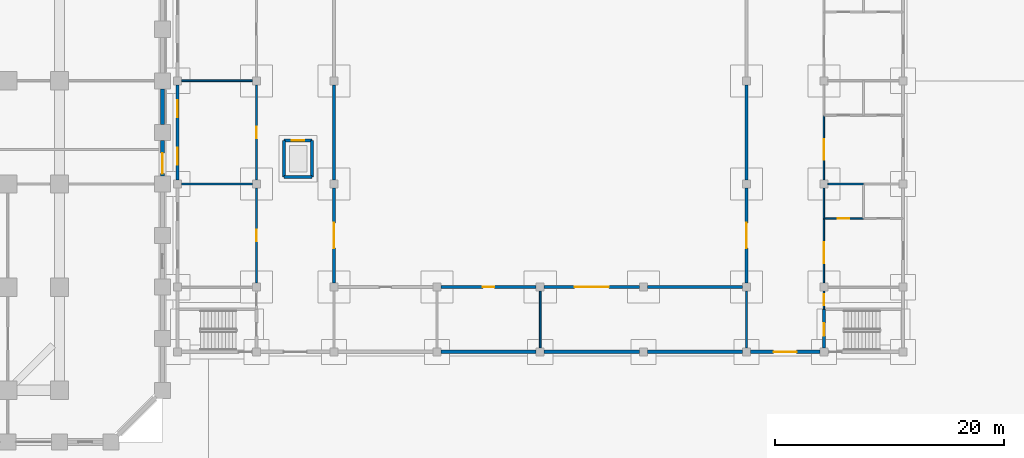
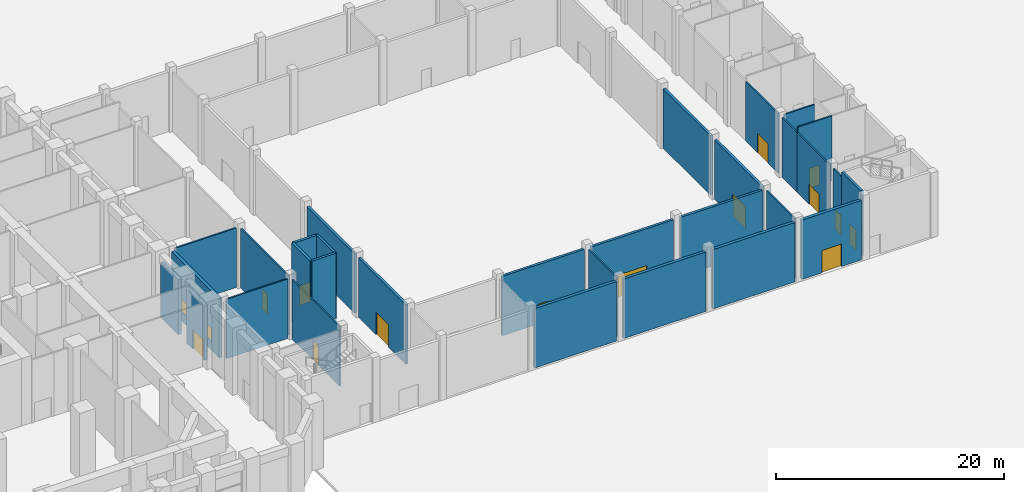
# One storey, part 11 of 30: 31 walls, 14 doors, 2 windows, 16 openings.
"""IFC4 building model written with IfcOpenShell, lengths in metres."""

from ifc_helpers import new_model, si_unit, direction, frame, frame_2d, origin, place, context, subcontext, project, spatial, rectangle, extrude, material, layer, layer_set, type_object, element, fill, save


model = new_model("IFC4")

# Units and contexts
model_context = context("Model", 3, precision=1e-05, world=origin(), true_north=direction((0.0, 1.0)))
body_context = subcontext(model_context, "Body", "Model", "MODEL_VIEW")
ifc_project = project(units=[si_unit("LENGTHUNIT", "METRE"), si_unit("AREAUNIT", "SQUARE_METRE"), si_unit("VOLUMEUNIT", "CUBIC_METRE"), si_unit("PLANEANGLEUNIT", "RADIAN"), si_unit("MASSUNIT", "GRAM", prefix="KILO")], contexts=[model_context])

# Site, building, storey
site_placement = place(None, origin())
site = spatial("IfcSite", under=ifc_project, at=site_placement, CompositionType="ELEMENT")
building_placement = place(site_placement, origin())
building = spatial("IfcBuilding", under=site, at=building_placement, Name="Corbel Stack Research Tower", CompositionType="ELEMENT")
storey_placement = place(building_placement, origin())
storey = spatial("IfcBuildingStorey", under=building, at=storey_placement, Name="L00", CompositionType="ELEMENT", Elevation=0.0)

# Wall, opening, door
ifc_material_1 = material(Name="Concrete C45/55", Category="concrete")
ifc_layer_1 = layer(ifc_material_1, 0.35009765625)
ifc_layer_set_1 = layer_set([ifc_layer_1], Name="Concrete C45/55")
wall_type_1 = type_object("IfcWallType", Name="Board-marked concrete wall 350", PredefinedType="SOLIDWALL", material=ifc_layer_set_1)
wall_1_placement = place(storey_placement, frame((36.0, -5.199951171875, 0.0), z_axis=(0.0, 0.0, 1.0), x_axis=(0.0, -1.0, 0.0)))
wall_1 = element("IfcWall", 1, at=wall_1_placement, inside=storey, type_object=wall_type_1, Name="Facade wall L00 E05", PredefinedType="SOLIDWALL", context=body_context, shape_type="SweptSolid", body=[
    extrude(rectangle(XDim=3.10009765625, YDim=0.35009765625, at=frame_2d((1.550048828125, 0.0))), origin(), (0.0, 0.0, 1.0), 5.85009765625),
])
opening_1_placement = place(wall_1_placement, frame((1.10009765625, 0.0, 0.0)))
opening_1 = element("IfcOpeningElement", 2, at=opening_1_placement, cuts=wall_1, Name="Opening XD-3", PredefinedType="OPENING", context=body_context, shape_type="SweptSolid", body=[
    extrude(rectangle(XDim=1.800048828125, YDim=2.10009765625, at=frame_2d((0.89990234375, 1.050048828125))), frame((0.0, 0.18505859375, 0.0), z_axis=(0.0, -1.0, 0.0), x_axis=(1.0, 0.0, 0.0)), (0.0, 0.0, 1.0), 0.3701171875),
])
ifc_material_2 = material(Name="Painted steel door", Category="steel")
door_type_1 = type_object("IfcDoorType", Name="Exit door pair 1800 x 2100", OperationType="DOUBLE_DOOR_DOUBLE_SWING", PredefinedType="DOOR", material=ifc_material_2)
door_1_placement = place(opening_1_placement, origin())
door_1 = element("IfcDoor", 3, at=door_1_placement, inside=storey, type_object=door_type_1, Name="Exit passage ST-E1 exit door pair", OperationType="DOUBLE_DOOR_DOUBLE_SWING", OverallHeight=2.10009765625, OverallWidth=1.800048828125, PredefinedType="DOOR", context=body_context, shape_type="SweptSolid", body=[
    extrude(rectangle(XDim=1.800048828125, YDim=2.10009765625, at=frame_2d((0.89990234375, 1.050048828125))), frame((0.0, 0.02490234375, 0.0), z_axis=(0.0, -1.0, 0.0), x_axis=(1.0, 0.0, 0.0)), (0.0, 0.0, 1.0), 0.050048828125),
])
fill(opening_1, door_1)

# Walls
wall_2_placement = place(storey_placement, frame((36.0, -0.699951171875, 0.0), z_axis=(0.0, 0.0, 1.0), x_axis=(0.0, -1.0, 0.0)))
element("IfcWall", 4, at=wall_2_placement, inside=storey, type_object=wall_type_1, Name="Facade wall L00 E06", PredefinedType="SOLIDWALL", context=body_context, shape_type="SweptSolid", body=[
    extrude(rectangle(XDim=3.10009765625, YDim=0.35009765625, at=frame_2d((1.550048828125, 0.0))), origin(), (0.0, 0.0, 1.0), 5.85009765625),
])
ifc_material_3 = material(Name="Concrete C40/50", Category="concrete")
ifc_layer_2 = layer(ifc_material_3, 0.300048828125)
ifc_layer_set_2 = layer_set([ifc_layer_2], Name="Concrete C40/50")
wall_type_2 = type_object("IfcWallType", Name="HW1 exterior wall 300", PredefinedType="SOLIDWALL", material=ifc_layer_set_2)
for number, where, z_axis, x_axis, name in (
    (5, (60.300048828125, -23.64990234375, 0.0), (0.0, 0.0, 1.0), (1.0, 0.0, 0.0), "Exterior wall L00 h-23.65/60.3"),
    (6, (69.300048828125, -23.64990234375, 0.0), (0.0, 0.0, 1.0), (1.0, 0.0, 0.0), "Exterior wall L00 h-23.65/69.3"),
    (7, (78.300048828125, -23.64990234375, 0.0), (0.0, 0.0, 1.0), (1.0, 0.0, 0.0), "Exterior wall L00 h-23.65/78.3"),
):
    element("IfcWall", number, at=place(storey_placement, frame(where, z_axis=z_axis, x_axis=x_axis)), inside=storey, type_object=wall_type_2, Name=name, PredefinedType="SOLIDWALL", context=body_context, shape_type="SweptSolid", body=[
        extrude(rectangle(XDim=8.300048828125, YDim=0.300048828125, at=frame_2d((4.14990234375, 0.0))), origin(), (0.0, 0.0, 1.0), 6.35009765625),
    ])

# Wall, opening, door
wall_3_placement = place(storey_placement, frame((93.35009765625, -23.64990234375, 0.0), z_axis=(0.0, 0.0, 1.0), x_axis=(-1.0, 0.0, 0.0)))
wall_3 = element("IfcWall", 8, at=wall_3_placement, inside=storey, type_object=wall_type_2, Name="Exterior wall L00 h-23.65/87.3", PredefinedType="SOLIDWALL", context=body_context, shape_type="SweptSolid", body=[
    extrude(rectangle(XDim=6.050048828125, YDim=0.300048828125, at=frame_2d((3.02490234375, 0.0))), origin(), (0.0, 0.0, 1.0), 6.35009765625),
])
opening_2_placement = place(wall_3_placement, frame((2.02490234375, 0.0, 0.0)))
opening_2 = element("IfcOpeningElement", 9, at=opening_2_placement, cuts=wall_3, Name="Opening H0-03", PredefinedType="OPENING", context=body_context, shape_type="SweptSolid", body=[
    extrude(rectangle(XDim=2.0, YDim=2.39990234375, at=frame_2d((1.0, 1.199951171875))), frame((0.0, 0.159912109375, 0.0), z_axis=(0.0, -1.0, 0.0), x_axis=(1.0, 0.0, 0.0)), (0.0, 0.0, 1.0), 0.320068359375),
])
ifc_material_4 = material(Name="Glass and aluminium", Category="aluminium")
door_type_2 = type_object("IfcDoorType", Name="HD3 entrance door pair 2000 x 2400", OperationType="DOUBLE_DOOR_SINGLE_SWING", PredefinedType="DOOR", material=ifc_material_4)
door_2_placement = place(opening_2_placement, origin())
door_2 = element("IfcDoor", 10, at=door_2_placement, inside=storey, type_object=door_type_2, Name="Door H0-03", OperationType="DOUBLE_DOOR_SINGLE_SWING", OverallHeight=2.39990234375, OverallWidth=2.0, PredefinedType="DOOR", context=body_context, shape_type="SweptSolid", body=[
    extrude(rectangle(XDim=2.0, YDim=2.39990234375, at=frame_2d((1.0, 1.199951171875))), frame((0.0, 0.02490234375, 0.0), z_axis=(0.0, -1.0, 0.0), x_axis=(1.0, 0.0, 0.0)), (0.0, 0.0, 1.0), 0.050048828125),
])
fill(opening_2, door_2)

# Wall, openings, windows
wall_4_placement = place(storey_placement, frame((37.300048828125, -8.64990234375, 0.0), z_axis=(0.0, 0.0, 1.0), x_axis=(0.0, 1.0, 0.0)))
wall_4 = element("IfcWall", 11, at=wall_4_placement, inside=storey, type_object=wall_type_2, Name="Exterior wall L00 v37.30/-8.7", PredefinedType="SOLIDWALL", context=body_context, shape_type="SweptSolid", body=[
    extrude(rectangle(XDim=8.2998046875, YDim=0.300048828125, at=frame_2d((4.14990234375, 0.0))), origin(), (0.0, 0.0, 1.0), 6.35009765625),
])
opening_3_placement = place(wall_4_placement, frame((1.324951171875, 0.0, 0.89990234375)))
opening_3 = element("IfcOpeningElement", 12, at=opening_3_placement, cuts=wall_4, Name="Opening HX1", PredefinedType="OPENING", context=body_context, shape_type="SweptSolid", body=[
    extrude(rectangle(XDim=1.5, YDim=1.39990234375, at=frame_2d((0.75, 0.699951171875))), frame((0.0, 0.159912109375, 0.0), z_axis=(0.0, -1.0, 0.0), x_axis=(1.0, 0.0, 0.0)), (0.0, 0.0, 1.0), 0.320068359375),
])
opening_4_placement = place(wall_4_placement, frame((5.47509765625, 0.0, 0.89990234375)))
opening_4 = element("IfcOpeningElement", 13, at=opening_4_placement, cuts=wall_4, Name="Opening HX1", PredefinedType="OPENING", context=body_context, shape_type="SweptSolid", body=[
    extrude(rectangle(XDim=1.5, YDim=1.39990234375, at=frame_2d((0.75, 0.699951171875))), frame((0.0, 0.159912109375, 0.0), z_axis=(0.0, -1.0, 0.0), x_axis=(1.0, 0.0, 0.0)), (0.0, 0.0, 1.0), 0.320068359375),
])
ifc_material_5 = material(Name="Glass and aluminium", Category="aluminium")
window_type = type_object("IfcWindowType", Name="HW6 window 1500 x 1400", PartitioningType="SINGLE_PANEL", PredefinedType="WINDOW", material=ifc_material_5)
window_1_placement = place(opening_3_placement, origin())
window_1 = element("IfcWindow", 14, at=window_1_placement, inside=storey, type_object=window_type, Name="Window L00 Reception", OverallHeight=1.39990234375, OverallWidth=1.5, PartitioningType="SINGLE_PANEL", PredefinedType="WINDOW", context=body_context, shape_type="SweptSolid", body=[
    extrude(rectangle(XDim=1.5, YDim=1.39990234375, at=frame_2d((0.75, 0.699951171875))), frame((0.0, 0.030029296875, 0.0), z_axis=(0.0, -1.0, 0.0), x_axis=(1.0, 0.0, 0.0)), (0.0, 0.0, 1.0), 0.06005859375),
])
fill(opening_3, window_1)
window_2_placement = place(opening_4_placement, origin())
window_2 = element("IfcWindow", 15, at=window_2_placement, inside=storey, type_object=window_type, Name="Window L00 Reception", OverallHeight=1.39990234375, OverallWidth=1.5, PartitioningType="SINGLE_PANEL", PredefinedType="WINDOW", context=body_context, shape_type="SweptSolid", body=[
    extrude(rectangle(XDim=1.5, YDim=1.39990234375, at=frame_2d((0.75, 0.699951171875))), frame((0.0, 0.030029296875, 0.0), z_axis=(0.0, -1.0, 0.0), x_axis=(1.0, 0.0, 0.0)), (0.0, 0.0, 1.0), 0.06005859375),
])
fill(opening_4, window_2)

# Wall
ifc_material_6 = material(Name="Concrete C40/50", Category="concrete")
ifc_layer_3 = layer(ifc_material_6, 0.25)
ifc_layer_set_3 = layer_set([ifc_layer_3], Name="Concrete C40/50")
wall_type_3 = type_object("IfcWallType", Name="HW2 core wall C40/50 250", PredefinedType="SHEAR", material=ifc_layer_set_3)
wall_5_placement = place(storey_placement, frame((46.60009765625, -8.39990234375, -1.5), z_axis=(0.0, 0.0, 1.0), x_axis=(1.0, 0.0, 0.0)))
element("IfcWall", 16, at=wall_5_placement, inside=storey, type_object=wall_type_3, Name="Wall L00 h-8.40/46.6", PredefinedType="SHEAR", context=body_context, shape_type="SweptSolid", body=[
    extrude(rectangle(XDim=2.449951171875, YDim=0.25, at=frame_2d((1.22509765625, 0.0))), origin(), (0.0, 0.0, 1.0), 8.449951171875),
])

# Wall, opening, door
wall_6_placement = place(storey_placement, frame((46.60009765625, -5.199951171875, -1.5), z_axis=(0.0, 0.0, 1.0), x_axis=(1.0, 0.0, 0.0)))
wall_6 = element("IfcWall", 17, at=wall_6_placement, inside=storey, type_object=wall_type_3, Name="Wall L00 h-5.20/46.6", PredefinedType="SHEAR", context=body_context, shape_type="SweptSolid", body=[
    extrude(rectangle(XDim=2.449951171875, YDim=0.25, at=frame_2d((1.22509765625, 0.0))), origin(), (0.0, 0.0, 1.0), 8.449951171875),
])
opening_5_placement = place(wall_6_placement, frame((0.675048828125, 0.0, 1.5)))
opening_5 = element("IfcOpeningElement", 18, at=opening_5_placement, cuts=wall_6, Name="Opening H0-10", PredefinedType="OPENING", context=body_context, shape_type="SweptSolid", body=[
    extrude(rectangle(XDim=1.10009765625, YDim=2.10009765625, at=frame_2d((0.550048828125, 1.050048828125))), frame((0.0, 0.135009765625, 0.0), z_axis=(0.0, -1.0, 0.0), x_axis=(1.0, 0.0, 0.0)), (0.0, 0.0, 1.0), 0.27001953125),
])
ifc_material_7 = material(Name="Timber", Category="wood")
door_type_3 = type_object("IfcDoorType", Name="HD5 lift landing door 1100 x 2100", OperationType="DOUBLE_DOOR_SLIDING", PredefinedType="DOOR", material=ifc_material_7)
door_3_placement = place(opening_5_placement, origin())
door_3 = element("IfcDoor", 19, at=door_3_placement, inside=storey, type_object=door_type_3, Name="Lift landing door H0-10", OperationType="DOUBLE_DOOR_SLIDING", OverallHeight=2.10009765625, OverallWidth=1.10009765625, PredefinedType="DOOR", context=body_context, shape_type="SweptSolid", body=[
    extrude(rectangle(XDim=1.10009765625, YDim=2.10009765625, at=frame_2d((0.550048828125, 1.050048828125))), frame((0.0, 0.02490234375, 0.0), z_axis=(0.0, -1.0, 0.0), x_axis=(1.0, 0.0, 0.0)), (0.0, 0.0, 1.0), 0.050048828125),
])
fill(opening_5, door_3)

# Walls
for number, where, z_axis, x_axis, name in (
    (20, (46.60009765625, -8.39990234375, -1.5), (0.0, 0.0, 1.0), (0.0, 1.0, 0.0), "Wall L00 v46.60/-8.4"),
    (21, (49.050048828125, -8.39990234375, -1.5), (0.0, 0.0, 1.0), (0.0, 1.0, 0.0), "Wall L00 v49.05/-8.4"),
):
    element("IfcWall", number, at=place(storey_placement, frame(where, z_axis=z_axis, x_axis=x_axis)), inside=storey, type_object=wall_type_3, Name=name, PredefinedType="SHEAR", context=body_context, shape_type="SweptSolid", body=[
        extrude(rectangle(XDim=3.199951171875, YDim=0.25, at=frame_2d((1.60009765625, 0.0))), origin(), (0.0, 0.0, 1.0), 8.449951171875),
    ])

# Wall, opening, door
wall_7_placement = place(storey_placement, frame((93.699951171875, -23.300048828125, 0.0), z_axis=(0.0, 0.0, 1.0), x_axis=(0.0, 1.0, 0.0)))
wall_7 = element("IfcWall", 22, at=wall_7_placement, inside=storey, type_object=wall_type_3, Name="Wall L00 v93.70/-23.3", PredefinedType="SHEAR", context=body_context, shape_type="SweptSolid", body=[
    extrude(rectangle(XDim=3.375, YDim=0.25, at=frame_2d((1.6875, 0.0))), origin(), (0.0, 0.0, 1.0), 6.949951171875),
])
opening_6_placement = place(wall_7_placement, frame((1.050048828125, 0.0, 0.0)))
opening_6 = element("IfcOpeningElement", 23, at=opening_6_placement, cuts=wall_7, Name="Opening H0-35", PredefinedType="OPENING", context=body_context, shape_type="SweptSolid", body=[
    extrude(rectangle(XDim=1.10009765625, YDim=2.10009765625, at=frame_2d((0.550048828125, 1.050048828125))), frame((0.0, 0.135009765625, 0.0), z_axis=(0.0, -1.0, 0.0), x_axis=(1.0, 0.0, 0.0)), (0.0, 0.0, 1.0), 0.27001953125),
])
ifc_material_8 = material(Name="Steel", Category="steel")
door_type_4 = type_object("IfcDoorType", Name="HD4 fire door 1100 x 2100", OperationType="NOTDEFINED", PredefinedType="DOOR", material=ifc_material_8)
door_4_placement = place(opening_6_placement, origin())
door_4 = element("IfcDoor", 24, at=door_4_placement, inside=storey, type_object=door_type_4, Name="Door H0-35", OperationType="SINGLE_SWING_RIGHT", OverallHeight=2.10009765625, OverallWidth=1.10009765625, PredefinedType="DOOR", context=body_context, shape_type="SweptSolid", body=[
    extrude(rectangle(XDim=1.10009765625, YDim=2.10009765625, at=frame_2d((0.550048828125, 1.050048828125))), frame((0.0, 0.02490234375, 0.0), z_axis=(0.0, -1.0, 0.0), x_axis=(1.0, 0.0, 0.0)), (0.0, 0.0, 1.0), 0.050048828125),
])
fill(opening_6, door_4)

ifc_material_9 = material(Name="Concrete masonry unit", Category="masonry")
ifc_layer_4 = layer(ifc_material_9, 0.14990234375)
ifc_layer_set_4 = layer_set([ifc_layer_4], Name="Concrete masonry unit")
wall_type_4 = type_object("IfcWallType", Name="HW3 partition 150", PredefinedType="PARTITIONING", material=ifc_layer_set_4)
wall_8_placement = place(storey_placement, frame((93.699951171875, -12.0, 0.0), z_axis=(0.0, 0.0, 1.0), x_axis=(1.0, 0.0, 0.0)))
wall_8 = element("IfcWall", 25, at=wall_8_placement, inside=storey, type_object=wall_type_4, Name="Wall L00 h-12.00/93.7", PredefinedType="PARTITIONING", context=body_context, shape_type="SweptSolid", body=[
    extrude(rectangle(XDim=3.449951171875, YDim=0.14990234375, at=frame_2d((1.72509765625, 0.0))), origin(), (0.0, 0.0, 1.0), 6.949951171875),
])
opening_7_placement = place(wall_8_placement, frame((1.199951171875, 0.0, 0.0)))
opening_7 = element("IfcOpeningElement", 26, at=opening_7_placement, cuts=wall_8, Name="Opening H0-08", PredefinedType="OPENING", context=body_context, shape_type="SweptSolid", body=[
    extrude(rectangle(XDim=1.0, YDim=2.10009765625, at=frame_2d((0.5, 1.050048828125))), frame((0.0, 0.0849609375, 0.0), z_axis=(0.0, -1.0, 0.0), x_axis=(1.0, 0.0, 0.0)), (0.0, 0.0, 1.0), 0.169921875),
])
ifc_material_10 = material(Name="Timber", Category="wood")
door_type_5 = type_object("IfcDoorType", Name="HD1 single door 1000 x 2100", OperationType="NOTDEFINED", PredefinedType="DOOR", material=ifc_material_10)
door_5_placement = place(opening_7_placement, origin())
door_5 = element("IfcDoor", 27, at=door_5_placement, inside=storey, type_object=door_type_5, Name="Door H0-08", OperationType="SINGLE_SWING_LEFT", OverallHeight=2.10009765625, OverallWidth=1.0, PredefinedType="DOOR", context=body_context, shape_type="SweptSolid", body=[
    extrude(rectangle(XDim=1.0, YDim=2.10009765625, at=frame_2d((0.5, 1.050048828125))), frame((0.0, 0.02490234375, 0.0), z_axis=(0.0, -1.0, 0.0), x_axis=(1.0, 0.0, 0.0)), (0.0, 0.0, 1.0), 0.050048828125),
])
fill(opening_7, door_5)

# Walls
wall_9_placement = place(storey_placement, frame((37.64990234375, -9.0, 0.0), z_axis=(0.0, 0.0, 1.0), x_axis=(1.0, 0.0, 0.0)))
element("IfcWall", 28, at=wall_9_placement, inside=storey, type_object=wall_type_4, Name="Wall L00 h-9.00/37.6", PredefinedType="PARTITIONING", context=body_context, shape_type="SweptSolid", body=[
    extrude(rectangle(XDim=6.2001953125, YDim=0.14990234375, at=frame_2d((3.10009765625, 0.0))), origin(), (0.0, 0.0, 1.0), 6.35009765625),
])
wall_10_placement = place(storey_placement, frame((94.050048828125, -9.0, 0.0), z_axis=(0.0, 0.0, 1.0), x_axis=(1.0, 0.0, 0.0)))
element("IfcWall", 29, at=wall_10_placement, inside=storey, type_object=wall_type_4, Name="Wall L00 h-9.00/94.0", PredefinedType="PARTITIONING", context=body_context, shape_type="SweptSolid", body=[
    extrude(rectangle(XDim=3.099853515625, YDim=0.14990234375, at=frame_2d((1.5498046875, 0.0))), origin(), (0.0, 0.0, 1.0), 6.35009765625),
])
wall_11_placement = place(storey_placement, frame((37.64990234375, 0.0, 0.0), z_axis=(0.0, 0.0, 1.0), x_axis=(1.0, 0.0, 0.0)))
element("IfcWall", 30, at=wall_11_placement, inside=storey, type_object=wall_type_4, Name="Wall L00 h0.00/37.6", PredefinedType="PARTITIONING", context=body_context, shape_type="SweptSolid", body=[
    extrude(rectangle(XDim=6.2001953125, YDim=0.14990234375, at=frame_2d((3.10009765625, 0.0))), origin(), (0.0, 0.0, 1.0), 6.35009765625),
])

# Wall, opening, door
wall_12_placement = place(storey_placement, frame((44.199951171875, -17.64990234375, 0.0), z_axis=(0.0, 0.0, 1.0), x_axis=(0.0, 1.0, 0.0)))
wall_12 = element("IfcWall", 31, at=wall_12_placement, inside=storey, type_object=wall_type_4, Name="Wall L00 v44.20/-17.6", PredefinedType="PARTITIONING", context=body_context, shape_type="SweptSolid", body=[
    extrude(rectangle(XDim=8.2998046875, YDim=0.14990234375, at=frame_2d((4.14990234375, 0.0))), origin(), (0.0, 0.0, 1.0), 6.35009765625),
])
opening_8_placement = place(wall_12_placement, frame((3.64990234375, 0.0, 0.0)))
opening_8 = element("IfcOpeningElement", 32, at=opening_8_placement, cuts=wall_12, Name="Opening H0-25", PredefinedType="OPENING", context=body_context, shape_type="SweptSolid", body=[
    extrude(rectangle(XDim=1.0, YDim=2.10009765625, at=frame_2d((0.5, 1.050048828125))), frame((0.0, 0.0849609375, 0.0), z_axis=(0.0, -1.0, 0.0), x_axis=(1.0, 0.0, 0.0)), (0.0, 0.0, 1.0), 0.169921875),
])
door_6_placement = place(opening_8_placement, origin())
door_6 = element("IfcDoor", 33, at=door_6_placement, inside=storey, type_object=door_type_5, Name="Door H0-25", OperationType="SINGLE_SWING_RIGHT", OverallHeight=2.10009765625, OverallWidth=1.0, PredefinedType="DOOR", context=body_context, shape_type="SweptSolid", body=[
    extrude(rectangle(XDim=1.0, YDim=2.10009765625, at=frame_2d((0.5, 1.050048828125))), frame((0.0, 0.02490234375, 0.0), z_axis=(0.0, -1.0, 0.0), x_axis=(1.0, 0.0, 0.0)), (0.0, 0.0, 1.0), 0.050048828125),
])
fill(opening_8, door_6)

wall_13_placement = place(storey_placement, frame((44.199951171875, -8.64990234375, 0.0), z_axis=(0.0, 0.0, 1.0), x_axis=(0.0, 1.0, 0.0)))
wall_13 = element("IfcWall", 34, at=wall_13_placement, inside=storey, type_object=wall_type_4, Name="Wall L00 v44.20/-8.7", PredefinedType="PARTITIONING", context=body_context, shape_type="SweptSolid", body=[
    extrude(rectangle(XDim=8.2998046875, YDim=0.14990234375, at=frame_2d((4.14990234375, 0.0))), origin(), (0.0, 0.0, 1.0), 6.35009765625),
])
opening_9_placement = place(wall_13_placement, frame((3.64990234375, 0.0, 0.0)))
opening_9 = element("IfcOpeningElement", 35, at=opening_9_placement, cuts=wall_13, Name="Opening H0-26", PredefinedType="OPENING", context=body_context, shape_type="SweptSolid", body=[
    extrude(rectangle(XDim=1.0, YDim=2.10009765625, at=frame_2d((0.5, 1.050048828125))), frame((0.0, 0.0849609375, 0.0), z_axis=(0.0, -1.0, 0.0), x_axis=(1.0, 0.0, 0.0)), (0.0, 0.0, 1.0), 0.169921875),
])
door_7_placement = place(opening_9_placement, origin())
door_7 = element("IfcDoor", 36, at=door_7_placement, inside=storey, type_object=door_type_5, Name="Door H0-26", OperationType="SINGLE_SWING_LEFT", OverallHeight=2.10009765625, OverallWidth=1.0, PredefinedType="DOOR", context=body_context, shape_type="SweptSolid", body=[
    extrude(rectangle(XDim=1.0, YDim=2.10009765625, at=frame_2d((0.5, 1.050048828125))), frame((0.0, 0.02490234375, 0.0), z_axis=(0.0, -1.0, 0.0), x_axis=(1.0, 0.0, 0.0)), (0.0, 0.0, 1.0), 0.050048828125),
])
fill(opening_9, door_7)

# Walls
for number, where, z_axis, x_axis, name in (
    (37, (68.949951171875, -23.300048828125, 0.0), (0.0, 0.0, 1.0), (0.0, 1.0, 0.0), "Wall L00 v68.95/-23.3"),
    (38, (86.949951171875, -23.300048828125, 0.0), (0.0, 0.0, 1.0), (0.0, 1.0, 0.0), "Wall L00 v86.95/-23.3"),
):
    element("IfcWall", number, at=place(storey_placement, frame(where, z_axis=z_axis, x_axis=x_axis)), inside=storey, type_object=wall_type_4, Name=name, PredefinedType="PARTITIONING", context=body_context, shape_type="SweptSolid", body=[
        extrude(rectangle(XDim=4.949951171875, YDim=0.14990234375, at=frame_2d((2.47509765625, 0.0))), origin(), (0.0, 0.0, 1.0), 6.35009765625),
    ])

# Wall, opening, door
wall_14_placement = place(storey_placement, frame((93.699951171875, -18.35009765625, 0.0), z_axis=(0.0, 0.0, 1.0), x_axis=(0.0, -1.0, 0.0)))
wall_14 = element("IfcWall", 39, at=wall_14_placement, inside=storey, type_object=wall_type_4, Name="Wall L00 v93.70/-19.9", PredefinedType="PARTITIONING", context=body_context, shape_type="SweptSolid", body=[
    extrude(rectangle(XDim=1.574951171875, YDim=0.14990234375, at=frame_2d((0.78759765625, 0.0))), origin(), (0.0, 0.0, 1.0), 6.35009765625),
])
opening_10_placement = place(wall_14_placement, frame((0.25, 0.0, 0.0)))
opening_10 = element("IfcOpeningElement", 40, at=opening_10_placement, cuts=wall_14, Name="Opening H0-36", PredefinedType="OPENING", context=body_context, shape_type="SweptSolid", body=[
    extrude(rectangle(XDim=1.0, YDim=2.10009765625, at=frame_2d((0.5, 1.050048828125))), frame((0.0, 0.0849609375, 0.0), z_axis=(0.0, -1.0, 0.0), x_axis=(1.0, 0.0, 0.0)), (0.0, 0.0, 1.0), 0.169921875),
])
door_8_placement = place(opening_10_placement, origin())
door_8 = element("IfcDoor", 41, at=door_8_placement, inside=storey, type_object=door_type_5, Name="Door H0-36", OperationType="SINGLE_SWING_LEFT", OverallHeight=2.10009765625, OverallWidth=1.0, PredefinedType="DOOR", context=body_context, shape_type="SweptSolid", body=[
    extrude(rectangle(XDim=1.0, YDim=2.10009765625, at=frame_2d((0.5, 1.050048828125))), frame((0.0, 0.02490234375, 0.0), z_axis=(0.0, -1.0, 0.0), x_axis=(1.0, 0.0, 0.0)), (0.0, 0.0, 1.0), 0.050048828125),
])
fill(opening_10, door_8)

wall_15_placement = place(storey_placement, frame((93.699951171875, -17.64990234375, 0.0), z_axis=(0.0, 0.0, 1.0), x_axis=(0.0, 1.0, 0.0)))
wall_15 = element("IfcWall", 42, at=wall_15_placement, inside=storey, type_object=wall_type_4, Name="Wall L00 v93.70/-17.6", PredefinedType="PARTITIONING", context=body_context, shape_type="SweptSolid", body=[
    extrude(rectangle(XDim=5.64990234375, YDim=0.14990234375, at=frame_2d((2.824951171875, 0.0))), origin(), (0.0, 0.0, 1.0), 6.35009765625),
])
opening_11_placement = place(wall_15_placement, frame((1.75, 0.0, 0.0)))
opening_11 = element("IfcOpeningElement", 43, at=opening_11_placement, cuts=wall_15, Name="Opening H0-37", PredefinedType="OPENING", context=body_context, shape_type="SweptSolid", body=[
    extrude(rectangle(XDim=1.800048828125, YDim=2.10009765625, at=frame_2d((0.89990234375, 1.050048828125))), frame((0.0, 0.0849609375, 0.0), z_axis=(0.0, -1.0, 0.0), x_axis=(1.0, 0.0, 0.0)), (0.0, 0.0, 1.0), 0.169921875),
])
ifc_material_11 = material(Name="Timber", Category="wood")
door_type_6 = type_object("IfcDoorType", Name="HD2 double door 1800 x 2100", OperationType="DOUBLE_DOOR_SINGLE_SWING", PredefinedType="DOOR", material=ifc_material_11)
door_9_placement = place(opening_11_placement, origin())
door_9 = element("IfcDoor", 44, at=door_9_placement, inside=storey, type_object=door_type_6, Name="Door H0-37", OperationType="DOUBLE_DOOR_SINGLE_SWING", OverallHeight=2.10009765625, OverallWidth=1.800048828125, PredefinedType="DOOR", context=body_context, shape_type="SweptSolid", body=[
    extrude(rectangle(XDim=1.800048828125, YDim=2.10009765625, at=frame_2d((0.89990234375, 1.050048828125))), frame((0.0, 0.02490234375, 0.0), z_axis=(0.0, -1.0, 0.0), x_axis=(1.0, 0.0, 0.0)), (0.0, 0.0, 1.0), 0.050048828125),
])
fill(opening_11, door_9)

# Wall
wall_16_placement = place(storey_placement, frame((93.699951171875, -12.0, 0.0), z_axis=(0.0, 0.0, 1.0), x_axis=(0.0, 1.0, 0.0)))
element("IfcWall", 45, at=wall_16_placement, inside=storey, type_object=wall_type_4, Name="Wall L00 v93.70/-12.0", PredefinedType="PARTITIONING", context=body_context, shape_type="SweptSolid", body=[
    extrude(rectangle(XDim=2.64990234375, YDim=0.14990234375, at=frame_2d((1.324951171875, 0.0))), origin(), (0.0, 0.0, 1.0), 6.35009765625),
])

# Wall, opening, door
wall_17_placement = place(storey_placement, frame((93.699951171875, -8.64990234375, 0.0), z_axis=(0.0, 0.0, 1.0), x_axis=(0.0, 1.0, 0.0)))
wall_17 = element("IfcWall", 46, at=wall_17_placement, inside=storey, type_object=wall_type_4, Name="Wall L00 v93.70/-8.7", PredefinedType="PARTITIONING", context=body_context, shape_type="SweptSolid", body=[
    extrude(rectangle(XDim=5.64990234375, YDim=0.14990234375, at=frame_2d((2.824951171875, 0.0))), origin(), (0.0, 0.0, 1.0), 6.35009765625),
])
opening_12_placement = place(wall_17_placement, frame((1.75, 0.0, 0.0)))
opening_12 = element("IfcOpeningElement", 47, at=opening_12_placement, cuts=wall_17, Name="Opening H0-38", PredefinedType="OPENING", context=body_context, shape_type="SweptSolid", body=[
    extrude(rectangle(XDim=1.800048828125, YDim=2.10009765625, at=frame_2d((0.89990234375, 1.050048828125))), frame((0.0, 0.0849609375, 0.0), z_axis=(0.0, -1.0, 0.0), x_axis=(1.0, 0.0, 0.0)), (0.0, 0.0, 1.0), 0.169921875),
])
door_10_placement = place(opening_12_placement, origin())
door_10 = element("IfcDoor", 48, at=door_10_placement, inside=storey, type_object=door_type_6, Name="Door H0-38", OperationType="DOUBLE_DOOR_SINGLE_SWING", OverallHeight=2.10009765625, OverallWidth=1.800048828125, PredefinedType="DOOR", context=body_context, shape_type="SweptSolid", body=[
    extrude(rectangle(XDim=1.800048828125, YDim=2.10009765625, at=frame_2d((0.89990234375, 1.050048828125))), frame((0.0, 0.02490234375, 0.0), z_axis=(0.0, -1.0, 0.0), x_axis=(1.0, 0.0, 0.0)), (0.0, 0.0, 1.0), 0.050048828125),
])
fill(opening_12, door_10)

ifc_material_12 = material(Name="Concrete C40/50", Category="concrete")
ifc_layer_5 = layer(ifc_material_12, 0.25)
ifc_layer_set_5 = layer_set([ifc_layer_5], Name="Concrete C40/50")
wall_type_5 = type_object("IfcWallType", Name="HW4 court wall 250", PredefinedType="SOLIDWALL", material=ifc_layer_set_5)
wall_18_placement = place(storey_placement, frame((60.300048828125, -18.0, 0.0), z_axis=(0.0, 0.0, 1.0), x_axis=(1.0, 0.0, 0.0)))
wall_18 = element("IfcWall", 49, at=wall_18_placement, inside=storey, type_object=wall_type_5, Name="Wall L00 h-18.00/60.3", PredefinedType="SOLIDWALL", context=body_context, shape_type="SweptSolid", body=[
    extrude(rectangle(XDim=8.300048828125, YDim=0.25, at=frame_2d((4.14990234375, 0.0))), origin(), (0.0, 0.0, 1.0), 6.35009765625),
])
opening_13_placement = place(wall_18_placement, frame((3.64990234375, 0.0, 0.0)))
opening_13 = element("IfcOpeningElement", 50, at=opening_13_placement, cuts=wall_18, Name="Opening H0-06", PredefinedType="OPENING", context=body_context, shape_type="SweptSolid", body=[
    extrude(rectangle(XDim=1.0, YDim=2.10009765625, at=frame_2d((0.5, 1.050048828125))), frame((0.0, 0.135009765625, 0.0), z_axis=(0.0, -1.0, 0.0), x_axis=(1.0, 0.0, 0.0)), (0.0, 0.0, 1.0), 0.27001953125),
])
door_11_placement = place(opening_13_placement, origin())
door_11 = element("IfcDoor", 51, at=door_11_placement, inside=storey, type_object=door_type_5, Name="Door H0-06", OperationType="SINGLE_SWING_LEFT", OverallHeight=2.10009765625, OverallWidth=1.0, PredefinedType="DOOR", context=body_context, shape_type="SweptSolid", body=[
    extrude(rectangle(XDim=1.0, YDim=2.10009765625, at=frame_2d((0.5, 1.050048828125))), frame((0.0, 0.02490234375, 0.0), z_axis=(0.0, -1.0, 0.0), x_axis=(1.0, 0.0, 0.0)), (0.0, 0.0, 1.0), 0.050048828125),
])
fill(opening_13, door_11)

wall_19_placement = place(storey_placement, frame((69.300048828125, -18.0, 0.0), z_axis=(0.0, 0.0, 1.0), x_axis=(1.0, 0.0, 0.0)))
wall_19 = element("IfcWall", 52, at=wall_19_placement, inside=storey, type_object=wall_type_5, Name="Wall L00 h-18.00/69.3", PredefinedType="SOLIDWALL", context=body_context, shape_type="SweptSolid", body=[
    extrude(rectangle(XDim=8.300048828125, YDim=0.25, at=frame_2d((4.14990234375, 0.0))), origin(), (0.0, 0.0, 1.0), 6.35009765625),
])
opening_14_placement = place(wall_19_placement, frame((2.64990234375, 0.0, 0.0)))
opening_14 = element("IfcOpeningElement", 53, at=opening_14_placement, cuts=wall_19, Name="Opening H0-07", PredefinedType="OPENING", context=body_context, shape_type="SweptSolid", body=[
    extrude(rectangle(XDim=3.0, YDim=2.39990234375, at=frame_2d((1.5, 1.199951171875))), frame((0.0, 0.135009765625, 0.0), z_axis=(0.0, -1.0, 0.0), x_axis=(1.0, 0.0, 0.0)), (0.0, 0.0, 1.0), 0.27001953125),
])
ifc_material_13 = material(Name="Steel", Category="steel")
door_type_7 = type_object("IfcDoorType", Name="HD6 roller shutter 3000 x 2400", OperationType="ROLLINGUP", PredefinedType="DOOR", material=ifc_material_13)
door_12_placement = place(opening_14_placement, origin())
door_12 = element("IfcDoor", 54, at=door_12_placement, inside=storey, type_object=door_type_7, Name="Door H0-07", OperationType="ROLLINGUP", OverallHeight=2.39990234375, OverallWidth=3.0, PredefinedType="DOOR", context=body_context, shape_type="SweptSolid", body=[
    extrude(rectangle(XDim=3.0, YDim=2.39990234375, at=frame_2d((1.5, 1.199951171875))), frame((0.0, 0.02490234375, 0.0), z_axis=(0.0, -1.0, 0.0), x_axis=(1.0, 0.0, 0.0)), (0.0, 0.0, 1.0), 0.050048828125),
])
fill(opening_14, door_12)

# Wall
wall_20_placement = place(storey_placement, frame((78.300048828125, -18.0, 0.0), z_axis=(0.0, 0.0, 1.0), x_axis=(1.0, 0.0, 0.0)))
element("IfcWall", 55, at=wall_20_placement, inside=storey, type_object=wall_type_5, Name="Wall L00 h-18.00/78.3", PredefinedType="SOLIDWALL", context=body_context, shape_type="SweptSolid", body=[
    extrude(rectangle(XDim=8.300048828125, YDim=0.25, at=frame_2d((4.14990234375, 0.0))), origin(), (0.0, 0.0, 1.0), 6.35009765625),
])

# Wall, opening, door
wall_21_placement = place(storey_placement, frame((50.949951171875, -17.64990234375, 0.0), z_axis=(0.0, 0.0, 1.0), x_axis=(0.0, 1.0, 0.0)))
wall_21 = element("IfcWall", 56, at=wall_21_placement, inside=storey, type_object=wall_type_5, Name="Wall L00 v50.95/-17.6", PredefinedType="SOLIDWALL", context=body_context, shape_type="SweptSolid", body=[
    extrude(rectangle(XDim=8.2998046875, YDim=0.25, at=frame_2d((4.14990234375, 0.0))), origin(), (0.0, 0.0, 1.0), 6.35009765625),
])
opening_15_placement = place(wall_21_placement, frame((3.050048828125, 0.0, 0.0)))
opening_15 = element("IfcOpeningElement", 57, at=opening_15_placement, cuts=wall_21, Name="Opening H0-31", PredefinedType="OPENING", context=body_context, shape_type="SweptSolid", body=[
    extrude(rectangle(XDim=2.199951171875, YDim=2.39990234375, at=frame_2d((1.10009765625, 1.199951171875))), frame((0.0, 0.135009765625, 0.0), z_axis=(0.0, -1.0, 0.0), x_axis=(1.0, 0.0, 0.0)), (0.0, 0.0, 1.0), 0.27001953125),
])
ifc_material_14 = material(Name="Timber", Category="wood")
door_type_8 = type_object("IfcDoorType", Name="HD8 court door pair 2200 x 2400", OperationType="DOUBLE_DOOR_SINGLE_SWING", PredefinedType="DOOR", material=ifc_material_14)
door_13_placement = place(opening_15_placement, origin())
door_13 = element("IfcDoor", 58, at=door_13_placement, inside=storey, type_object=door_type_8, Name="Door H0-31", OperationType="DOUBLE_DOOR_SINGLE_SWING", OverallHeight=2.39990234375, OverallWidth=2.199951171875, PredefinedType="DOOR", context=body_context, shape_type="SweptSolid", body=[
    extrude(rectangle(XDim=2.199951171875, YDim=2.39990234375, at=frame_2d((1.10009765625, 1.199951171875))), frame((0.0, 0.02490234375, 0.0), z_axis=(0.0, -1.0, 0.0), x_axis=(1.0, 0.0, 0.0)), (0.0, 0.0, 1.0), 0.050048828125),
])
fill(opening_15, door_13)

# Wall
wall_22_placement = place(storey_placement, frame((50.949951171875, -8.64990234375, 0.0), z_axis=(0.0, 0.0, 1.0), x_axis=(0.0, 1.0, 0.0)))
element("IfcWall", 59, at=wall_22_placement, inside=storey, type_object=wall_type_5, Name="Wall L00 v50.95/-8.7", PredefinedType="SOLIDWALL", context=body_context, shape_type="SweptSolid", body=[
    extrude(rectangle(XDim=8.2998046875, YDim=0.25, at=frame_2d((4.14990234375, 0.0))), origin(), (0.0, 0.0, 1.0), 6.35009765625),
])

# Wall, opening, door
wall_23_placement = place(storey_placement, frame((86.949951171875, -9.35009765625, 0.0), z_axis=(0.0, 0.0, 1.0), x_axis=(0.0, -1.0, 0.0)))
wall_23 = element("IfcWall", 60, at=wall_23_placement, inside=storey, type_object=wall_type_5, Name="Wall L00 v86.95/-17.6", PredefinedType="SOLIDWALL", context=body_context, shape_type="SweptSolid", body=[
    extrude(rectangle(XDim=8.2998046875, YDim=0.25, at=frame_2d((4.14990234375, 0.0))), origin(), (0.0, 0.0, 1.0), 6.35009765625),
])
opening_16_placement = place(wall_23_placement, frame((3.050048828125, 0.0, 0.0)))
opening_16 = element("IfcOpeningElement", 61, at=opening_16_placement, cuts=wall_23, Name="Opening H0-33", PredefinedType="OPENING", context=body_context, shape_type="SweptSolid", body=[
    extrude(rectangle(XDim=2.199951171875, YDim=2.39990234375, at=frame_2d((1.10009765625, 1.199951171875))), frame((0.0, 0.135009765625, 0.0), z_axis=(0.0, -1.0, 0.0), x_axis=(1.0, 0.0, 0.0)), (0.0, 0.0, 1.0), 0.27001953125),
])
door_14_placement = place(opening_16_placement, origin())
door_14 = element("IfcDoor", 62, at=door_14_placement, inside=storey, type_object=door_type_8, Name="Door H0-33", OperationType="DOUBLE_DOOR_SINGLE_SWING", OverallHeight=2.39990234375, OverallWidth=2.199951171875, PredefinedType="DOOR", context=body_context, shape_type="SweptSolid", body=[
    extrude(rectangle(XDim=2.199951171875, YDim=2.39990234375, at=frame_2d((1.10009765625, 1.199951171875))), frame((0.0, 0.02490234375, 0.0), z_axis=(0.0, -1.0, 0.0), x_axis=(1.0, 0.0, 0.0)), (0.0, 0.0, 1.0), 0.050048828125),
])
fill(opening_16, door_14)

# Wall
wall_24_placement = place(storey_placement, frame((86.949951171875, -8.64990234375, 0.0), z_axis=(0.0, 0.0, 1.0), x_axis=(0.0, 1.0, 0.0)))
element("IfcWall", 63, at=wall_24_placement, inside=storey, type_object=wall_type_5, Name="Wall L00 v86.95/-8.7", PredefinedType="SOLIDWALL", context=body_context, shape_type="SweptSolid", body=[
    extrude(rectangle(XDim=8.2998046875, YDim=0.25, at=frame_2d((4.14990234375, 0.0))), origin(), (0.0, 0.0, 1.0), 6.35009765625),
])

save(model, "model.ifc")
